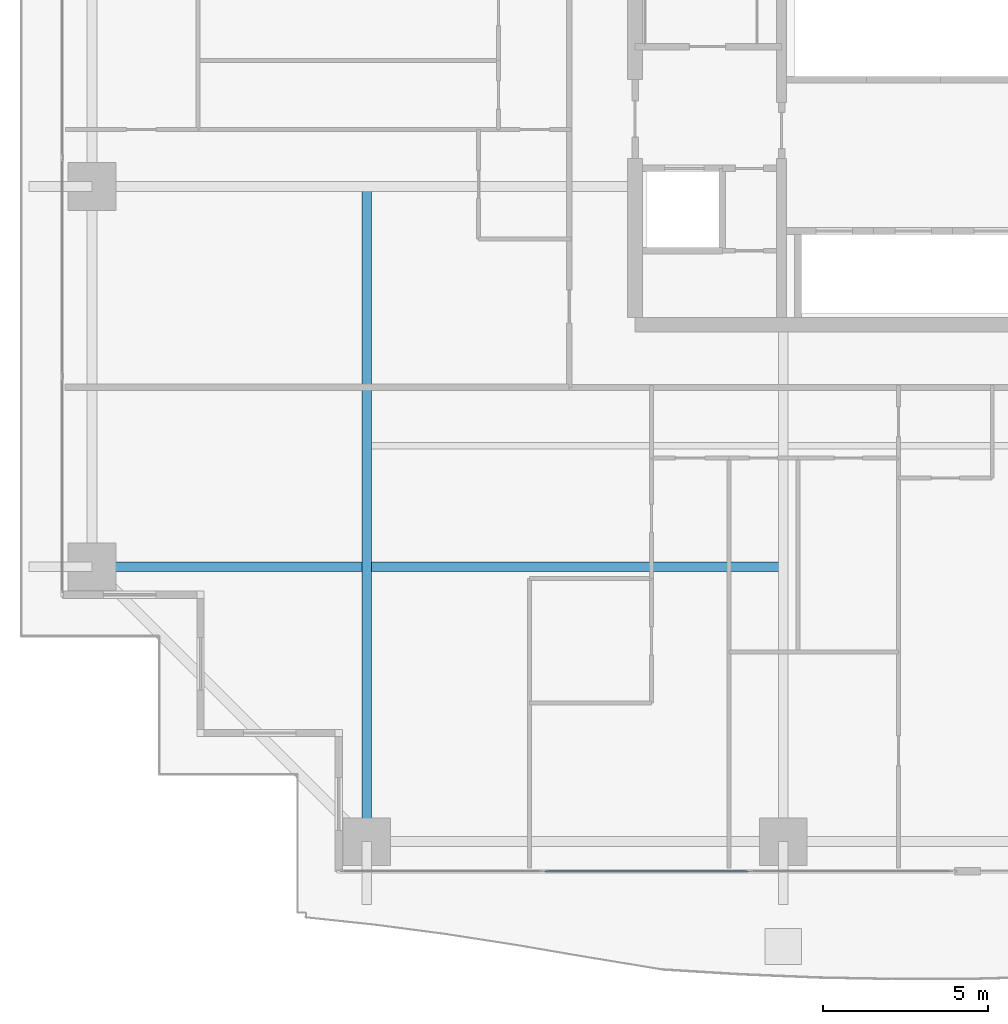
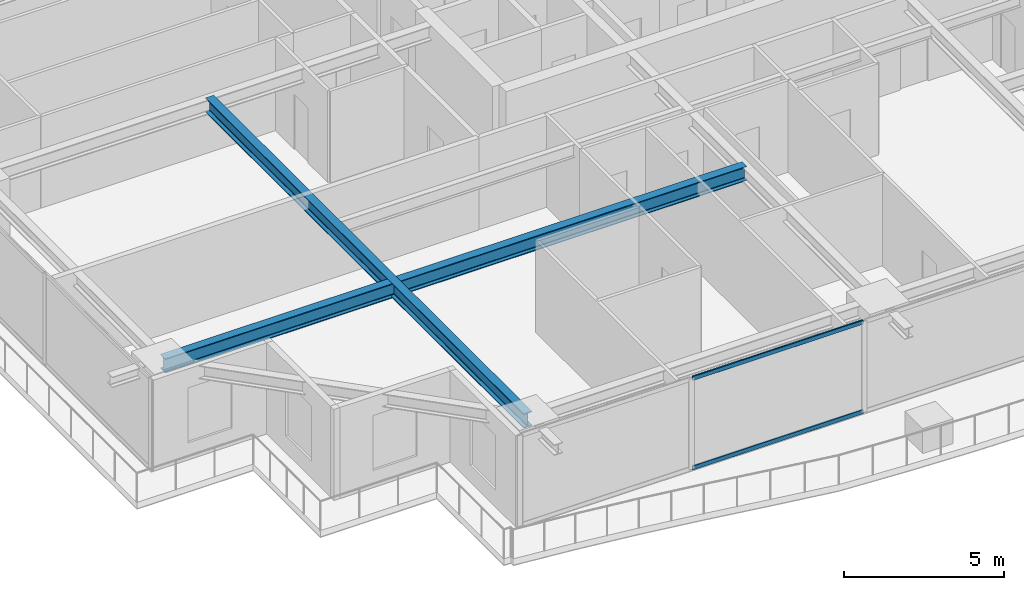
# One storey, part 4 of 39: 2 beams, 2 members, 1 element without a shape of its own.
"""IFC4 building model written with IfcOpenShell, lengths in metres."""

from ifc_helpers import new_model, si_unit, direction, frame, origin, origin_2d, place, context, subcontext, project, spatial, hollow_rectangle, i_section, extrude, source, transform, mapped, material, layer, layer_set, material_profile, profile_set, type_object, element, aggregate, save


model = new_model("IFC4")

# Units and contexts
model_context = context("Model", 3, precision=1e-05, world=origin(), true_north=direction((0.0, 1.0)))
body_context = subcontext(model_context, "Body", "Model", "MODEL_VIEW")
ifc_project = project(units=[si_unit("LENGTHUNIT", "METRE"), si_unit("AREAUNIT", "SQUARE_METRE"), si_unit("VOLUMEUNIT", "CUBIC_METRE"), si_unit("PLANEANGLEUNIT", "RADIAN"), si_unit("MASSUNIT", "GRAM", prefix="KILO")], contexts=[model_context])

# Site, building, storey
site_placement = place(None, origin())
site = spatial("IfcSite", under=ifc_project, at=site_placement, CompositionType="ELEMENT")
building_placement = place(site_placement, origin())
building = spatial("IfcBuilding", under=site, at=building_placement, Name="Serunith Strait Residences", CompositionType="ELEMENT")
storey_placement = place(building_placement, frame((0.0, 0.0, 94.199951171875)))
storey = spatial("IfcBuildingStorey", under=building, at=storey_placement, Name="L23", CompositionType="ELEMENT", Elevation=94.199951171875)

# Beams
ifc_material_1 = material(Name="Steel S355J2", Category="steel")
ifc_material_profile_1 = material_profile(ifc_material_1, i_section(OverallWidth=0.300048828125, OverallDepth=0.550048828125, WebThickness=0.014892578125, FlangeThickness=0.029052734375, FilletRadius=0.027099609375, at=origin_2d()), Name="HEB 550")
ifc_profile_set_1 = profile_set([ifc_material_profile_1], Name="Steel S355J2")
beam_type = type_object("IfcBeamType", Name="BM-HEB550", PredefinedType="BEAM", material=ifc_profile_set_1)
shared_shape_1 = source(origin(), body_context, "Body", "SweptSolid", [
    extrude(i_section(OverallWidth=0.300048828125, OverallDepth=0.550048828125, WebThickness=0.014892578125, FlangeThickness=0.029052734375, FilletRadius=0.027099609375, at=origin_2d()), origin(), (0.0, 0.0, 1.0), 19.89990234375),
])
beam_1_placement = place(storey_placement, frame((15.25, 21.0, 3.212158203125), z_axis=(0.0, -1.0, 0.0), x_axis=(1.0, 0.0, 0.0)))
element("IfcBeam", 1, at=beam_1_placement, inside=storey, type_object=beam_type, Name="L23 Orthogonal Corner Girder TC-S1", PredefinedType="BEAM", context=body_context, shape_type="MappedRepresentation", body=[
    mapped(shared_shape_1, transform((0.0, 0.0, 0.0), scale=1.0)),
])
shared_shape_2 = source(origin(), body_context, "Body", "SweptSolid", [
    extrude(i_section(OverallWidth=0.300048828125, OverallDepth=0.550048828125, WebThickness=0.014892578125, FlangeThickness=0.029052734375, FilletRadius=0.027099609375, at=origin_2d()), origin(), (0.0, 0.0, 1.0), 21.0),
])
beam_2_placement = place(storey_placement, frame((27.89990234375, 9.449951171875, 3.212158203125), z_axis=(-1.0, 0.0, 0.0), x_axis=(0.0, -1.0, 0.0)))
element("IfcBeam", 2, at=beam_2_placement, inside=storey, type_object=beam_type, Name="L23 Orthogonal Corner Girder TC-W1", PredefinedType="BEAM", context=body_context, shape_type="MappedRepresentation", body=[
    mapped(shared_shape_2, transform((0.0, 0.0, 0.0), scale=1.0)),
])

# Curtain wall, members
ifc_material_2 = material(Name="Pale-Champagne Anodised Aluminium", Category="aluminium")
ifc_layer = layer(ifc_material_2, 0.199951171875, Name="Pale-Champagne Anodised Aluminium")
ifc_layer_set = layer_set([ifc_layer], Name="Pale-Champagne Anodised Aluminium")
curtain_wall_type = type_object("IfcCurtainWallType", Name="CW-SYS1", PredefinedType="NOTDEFINED", material=ifc_layer_set)
curtain_wall_placement = place(storey_placement, origin())
curtain_wall = element("IfcCurtainWall", 3, at=curtain_wall_placement, inside=storey, type_object=curtain_wall_type, Name="L23 S Unitised Fritted Curtain Wall", PredefinedType="NOTDEFINED")
ifc_material_profile_2 = material_profile(ifc_material_2, hollow_rectangle(XDim=0.06005859375, YDim=0.159912109375, WallThickness=0.00341796875, InnerFilletRadius=0.00537109375, OuterFilletRadius=0.0087890625, at=origin_2d()), Name="ALU 160x60x3.5")
ifc_profile_set_2 = profile_set([ifc_material_profile_2], Name="Pale-Champagne Anodised Aluminium")
member_type = type_object("IfcMemberType", Name="CW-SYS1-TRAN", PredefinedType="USERDEFINED", material=ifc_profile_set_2)
shared_shape_3 = source(origin(), body_context, "Body", "SweptSolid", [
    extrude(hollow_rectangle(XDim=0.06005859375, YDim=0.159912109375, WallThickness=0.00341796875, InnerFilletRadius=0.00537109375, OuterFilletRadius=0.0087890625, at=origin_2d()), origin(), (0.0, 0.0, 1.0), 6.16357421875),
])
member_1_placement = place(storey_placement, frame((20.668212890625, 0.199951171875, 0.030029296875), z_axis=(1.0, 0.0, 0.0), x_axis=(0.0, 1.0, 0.0)))
member_1 = element("IfcMember", 4, at=member_1_placement, type_object=member_type, Name="CW-1 transom 2.1", ObjectType="TRANSOM", PredefinedType="USERDEFINED", context=body_context, shape_type="MappedRepresentation", body=[
    mapped(shared_shape_3, transform((0.0, 0.0, 0.0), scale=1.0)),
])
member_2_placement = place(storey_placement, frame((20.668212890625, 0.199951171875, 3.445068359375), z_axis=(1.0, 0.0, 0.0), x_axis=(0.0, 1.0, 0.0)))
member_2 = element("IfcMember", 5, at=member_2_placement, type_object=member_type, Name="CW-1 transom 2.2", ObjectType="TRANSOM", PredefinedType="USERDEFINED", context=body_context, shape_type="MappedRepresentation", body=[
    mapped(shared_shape_3, transform((0.0, 0.0, 0.0), scale=1.0)),
])
aggregate(curtain_wall, [member_1, member_2])

save(model, "model.ifc")
